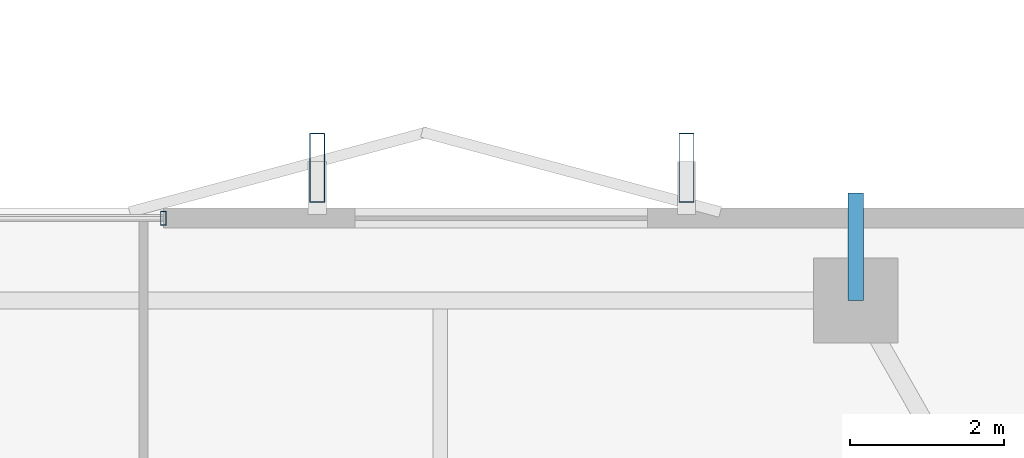
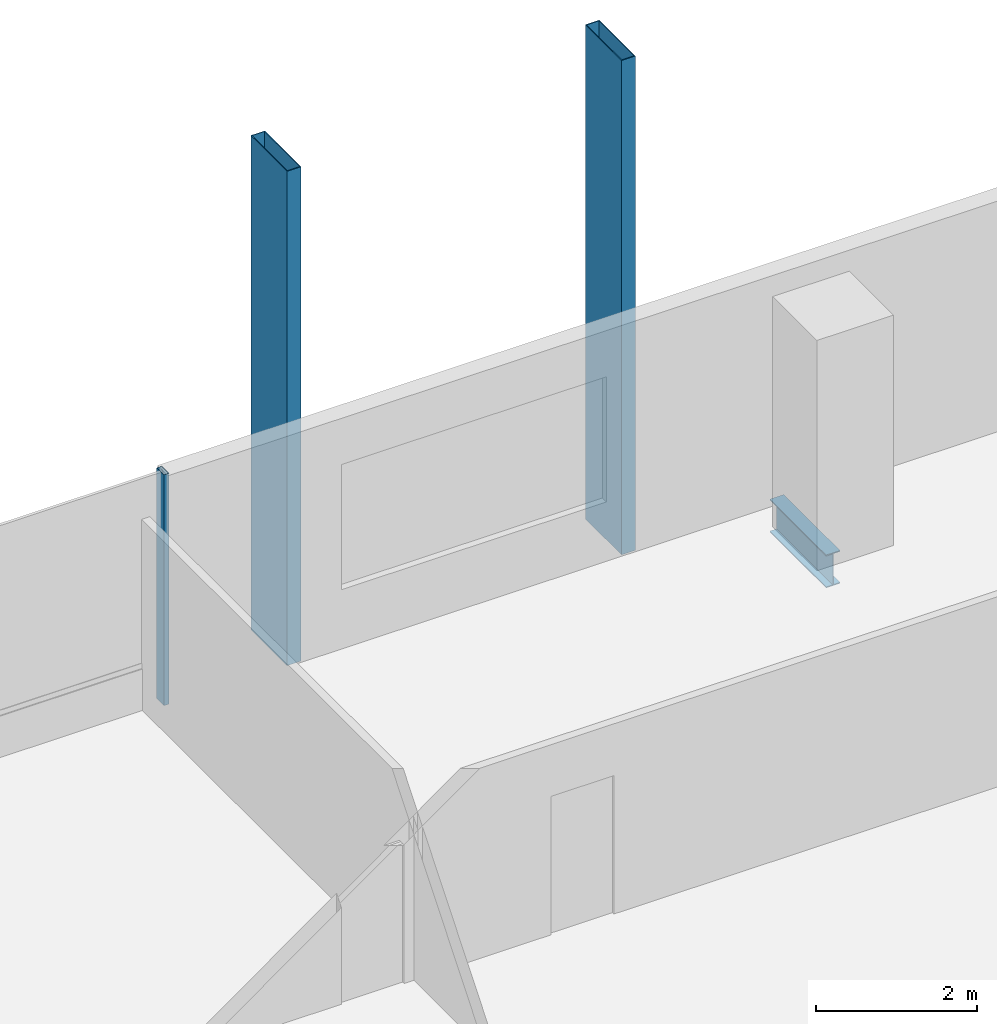
# One storey, part 15 of 24: 3 members, 1 beam, 1 element without a shape of its own.
"""IFC4 building model written with IfcOpenShell, lengths in metres."""

import ifcopenshell
import ifcopenshell.guid

model = None  # the IFC model being written
_history = None  # IfcOwnerHistory: only IFC2X3 demands one
_inside = {}  # id of a spatial element -> (the spatial element, [elements in it])
_under = {}  # id of a project, library or spatial element -> (it, [spatial elements below it])
_declared = {}  # id of a project -> (the project, [libraries it declares])
_typed = {}  # id of a type object -> (the type object, [elements of that type])
_made_of = {}  # id of a material, layer set ... -> (it, [elements and type objects made of it])


def new_model(schema):
    """Start an empty IFC model of exactly this schema.

    Asked for "IFC4X3", IfcOpenShell would pick the latest addendum, in which some entities
    have other attributes; the version numbers below select the first issue.
    IFC2X3 requires an IfcOwnerHistory on every rooted entity: one is made here for all.
    """
    global model, _history
    if schema == "IFC4X3":
        model = ifcopenshell.file(schema_version=(4, 3, 0, 0))
    else:
        model = ifcopenshell.file(schema=schema)
    _inside.clear()
    _under.clear()
    _declared.clear()
    _typed.clear()
    _made_of.clear()
    _history = None
    if model.schema == "IFC2X3":
        org = make("IfcOrganization", Name="unknown")
        user = make(
            "IfcPersonAndOrganization",
            ThePerson=make("IfcPerson", FamilyName="unknown"),
            TheOrganization=org,
        )
        app = make(
            "IfcApplication",
            ApplicationDeveloper=org,
            Version="unknown",
            ApplicationFullName="unknown",
            ApplicationIdentifier="unknown",
        )
        _history = make(
            "IfcOwnerHistory",
            OwningUser=user,
            OwningApplication=app,
            ChangeAction="ADDED",
            CreationDate=0,
        )
    return model


def make(cls, **values):
    """One entity of the class cls with the attributes given. An attribute that is None is left unset."""
    return model.create_entity(
        cls, **{name: value for name, value in values.items() if value is not None}
    )


def rooted(cls, **values):
    """An entity with a GlobalId (a new one), such as an element, a storey or a relation."""
    return make(cls, GlobalId=ifcopenshell.guid.new(), OwnerHistory=_history, **values)


def si_unit(unit_type, name, prefix=None):
    """IfcSIUnit, for example si_unit("LENGTHUNIT", "METRE", prefix="MILLI")."""
    return make("IfcSIUnit", UnitType=unit_type, Prefix=prefix, Name=name)


def assignment(units):
    """IfcUnitAssignment: the units of a project."""
    return None if units is None else make("IfcUnitAssignment", Units=units)


def point(xyz):
    """IfcCartesianPoint."""
    return None if xyz is None else make("IfcCartesianPoint", Coordinates=xyz)


def direction(xyz):
    """IfcDirection."""
    return None if xyz is None else make("IfcDirection", DirectionRatios=xyz)


def frame(location, z_axis=None, x_axis=None):
    """IfcAxis2Placement3D, a coordinate frame: its origin and axes. An axis left out is left unset."""
    return make(
        "IfcAxis2Placement3D",
        Location=point(location),
        Axis=direction(z_axis),
        RefDirection=direction(x_axis),
    )


def frame_2d(location, x_axis=None):
    """IfcAxis2Placement2D, a coordinate frame in the plane: its origin and x axis."""
    return make(
        "IfcAxis2Placement2D", Location=point(location), RefDirection=direction(x_axis)
    )


def origin():
    """The frame at (0, 0, 0) with its axes left unset."""
    return frame((0.0, 0.0, 0.0))


def origin_2d():
    """The frame at (0, 0) in the plane with its x axis left unset."""
    return frame_2d((0.0, 0.0))


def place(relative_to, where):
    """IfcLocalPlacement: puts the frame where relative to a parent placement (None: the world)."""
    return make(
        "IfcLocalPlacement", PlacementRelTo=relative_to, RelativePlacement=where
    )


def context(
    kind, dimensions, precision=None, world=None, true_north=None, identifier=None
):
    """IfcGeometricRepresentationContext, for example the 3D "Model" context."""
    return make(
        "IfcGeometricRepresentationContext",
        ContextIdentifier=identifier,
        ContextType=kind,
        CoordinateSpaceDimension=dimensions,
        Precision=precision,
        WorldCoordinateSystem=world,
        TrueNorth=true_north,
    )


def subcontext(parent, identifier, kind, view, scale=None):
    """IfcGeometricRepresentationSubContext, for example "Body" below "Model"."""
    return make(
        "IfcGeometricRepresentationSubContext",
        ContextIdentifier=identifier,
        ContextType=kind,
        ParentContext=parent,
        TargetScale=scale,
        TargetView=view,
    )


def project(units=None, contexts=None):
    """IfcProject with its units and contexts."""
    return rooted(
        "IfcProject",
        Name="project",
        RepresentationContexts=contexts,
        UnitsInContext=assignment(units),
    )


def spatial(cls, under=None, at=None, **own):
    """A site, building, storey or space (cls), placed at a placement, below another one or the project."""
    s = rooted(cls, ObjectPlacement=at, **own)
    if under is not None:
        _under.setdefault(under.id(), (under, []))[1].append(s)
    return s


def profile(cls, at=None, kind="AREA", **sizes):
    """A parametric profile (cls). Its sizes go by their IFC names, for example OverallWidth=200.0."""
    return make(cls, ProfileType=kind, Position=at, **sizes)


def hollow_rectangle(**sizes):
    """IfcRectangleHollowProfileDef."""
    return profile("IfcRectangleHollowProfileDef", **sizes)


def i_section(**sizes):
    """IfcIShapeProfileDef."""
    return profile("IfcIShapeProfileDef", **sizes)


def extrude(swept, where, along, depth):
    """IfcExtrudedAreaSolid: the profile swept, set in the frame where, extruded along a direction by depth."""
    return make(
        "IfcExtrudedAreaSolid",
        SweptArea=swept,
        Position=where,
        ExtrudedDirection=direction(along),
        Depth=depth,
    )


def shape(context_of_items, identifier, shape_type, items):
    """IfcShapeRepresentation: the items that make up one representation, for example the "Body"."""
    return make(
        "IfcShapeRepresentation",
        ContextOfItems=context_of_items,
        RepresentationIdentifier=identifier,
        RepresentationType=shape_type,
        Items=items,
    )


def material(Name=None, Category=None):
    """IfcMaterial."""
    return make("IfcMaterial", Name=Name, Category=Category)


def layer(
    of_material, thickness, ventilated=None, Name=None, Category=None, Priority=None
):
    """IfcMaterialLayer: one layer of a wall or slab, of a material (None: an air gap)."""
    return make(
        "IfcMaterialLayer",
        Material=of_material,
        LayerThickness=thickness,
        IsVentilated=ventilated,
        Name=Name,
        Category=Category,
        Priority=Priority,
    )


def layer_set(layers, Name=None):
    """IfcMaterialLayerSet."""
    return make("IfcMaterialLayerSet", MaterialLayers=layers, LayerSetName=Name)


def material_profile(
    of_material, cross_section, Name=None, Category=None, Priority=None
):
    """IfcMaterialProfile: a cross section and its material."""
    return make(
        "IfcMaterialProfile",
        Name=Name,
        Material=of_material,
        Profile=cross_section,
        Priority=Priority,
        Category=Category,
    )


def profile_set(profiles, Name=None, composite=None):
    """IfcMaterialProfileSet."""
    return make(
        "IfcMaterialProfileSet",
        Name=Name,
        MaterialProfiles=profiles,
        CompositeProfile=composite,
    )


def made_of(thing, what):
    """Note that an element or type object is made of a material, layer set ...; save() writes the relation."""
    if what is not None:
        _made_of.setdefault(what.id(), (what, []))[1].append(thing)
    return thing


def type_object(cls, material=None, **own):
    """A type object (cls), such as IfcWallType, which elements share."""
    return made_of(rooted(cls, **own), material)


def element(
    cls,
    number,
    at=None,
    inside=None,
    cuts=None,
    type_object=None,
    material=None,
    context=None,
    identifier="Body",
    shape_type=None,
    held_by="IfcProductDefinitionShape",
    body=None,
    shapes=None,
    **own,
):
    """One element of the class cls, such as IfcWall. Its Tag is "e" and its number.

    at: its placement. inside: the storey or other place that contains it. cuts: it is an
    opening in that element (IfcRelVoidsElement). A single representation is given by context,
    identifier, shape_type and body (its items); several are given by shapes. held_by: the class
    of the entity that holds the representations. save() writes the other relations.
    """
    e = rooted(cls, Tag="e%d" % number, ObjectPlacement=at, **own)
    if body is not None:
        shapes = [shape(context, identifier, shape_type, body)]
    if shapes is not None:
        e.Representation = make(held_by, Representations=shapes)
    if inside is not None:
        _inside.setdefault(inside.id(), (inside, []))[1].append(e)
    if cuts is not None:
        rooted(
            "IfcRelVoidsElement", RelatingBuildingElement=cuts, RelatedOpeningElement=e
        )
    if type_object is not None:
        _typed.setdefault(type_object.id(), (type_object, []))[1].append(e)
    return made_of(e, material)


def aggregate(whole, parts):
    """IfcRelAggregates: a whole, such as a stair, and the parts it consists of."""
    return rooted("IfcRelAggregates", RelatingObject=whole, RelatedObjects=parts)


def save(model, path):
    """Write the relations noted so far, then the file.

    IfcRelAggregates (storeys below a building ...), IfcRelContainedInSpatialStructure (elements
    in a storey), IfcRelDefinesByType, IfcRelAssociatesMaterial and IfcRelDeclares: one each for
    every whole, place, type object, material and project.
    """
    for whole, parts in _under.values():
        aggregate(whole, parts)
    for where, things in _inside.values():
        rooted(
            "IfcRelContainedInSpatialStructure",
            RelatedElements=things,
            RelatingStructure=where,
        )
    for kind, things in _typed.values():
        rooted("IfcRelDefinesByType", RelatedObjects=things, RelatingType=kind)
    for what, things in _made_of.values():
        rooted("IfcRelAssociatesMaterial", RelatedObjects=things, RelatingMaterial=what)
    for by, libraries in _declared.values():
        rooted("IfcRelDeclares", RelatingContext=by, RelatedDefinitions=libraries)
    model.write(path)


model = new_model("IFC4")

# Units and contexts
model_context = context("Model", 3, precision=1e-05, world=origin(), true_north=direction((0.0, 1.0)))
body_context = subcontext(model_context, "Body", "Model", "MODEL_VIEW")
ifc_project = project(units=[si_unit("LENGTHUNIT", "METRE"), si_unit("AREAUNIT", "SQUARE_METRE"), si_unit("VOLUMEUNIT", "CUBIC_METRE"), si_unit("PLANEANGLEUNIT", "RADIAN"), si_unit("MASSUNIT", "GRAM", prefix="KILO")], contexts=[model_context])

# Site, building, storey
site_placement = place(None, origin())
site = spatial("IfcSite", under=ifc_project, at=site_placement, CompositionType="ELEMENT")
building_placement = place(site_placement, origin())
building = spatial("IfcBuilding", under=site, at=building_placement, Name="Belovzor Exchange Tower", CompositionType="ELEMENT")
storey_placement = place(building_placement, frame((0.0, 0.0, 203.699951171875)))
storey = spatial("IfcBuildingStorey", under=building, at=storey_placement, Name="L50", CompositionType="ELEMENT", Elevation=203.699951171875)

# Beam
ifc_material_1 = material(Name="Steel S355", Category="steel")
ifc_material_profile_1 = material_profile(ifc_material_1, i_section(OverallWidth=0.199951171875, OverallDepth=0.5, WebThickness=0.01025390625, FlangeThickness=0.01611328125, at=origin_2d()))
ifc_profile_set_1 = profile_set([ifc_material_profile_1], Name="Steel S355")
beam_type = type_object("IfcBeamType", Name="Planted Balcony Cantilever Beam IPE 500", PredefinedType="BEAM", material=ifc_profile_set_1)
beam_placement = place(storey_placement, frame((42.60009765625, 54.60009765625, -0.5), z_axis=(0.0, 1.0, 0.0), x_axis=(-1.0, 0.0, 0.0)))
element("IfcBeam", 1, at=beam_placement, inside=storey, type_object=beam_type, Name="BC-500 Planted Balcony Cantilever Beam IPE 500", PredefinedType="BEAM", context=body_context, shape_type="SweptSolid", body=[
    extrude(i_section(OverallWidth=0.199951171875, OverallDepth=0.5, WebThickness=0.01025390625, FlangeThickness=0.01611328125, at=origin_2d()), origin(), (0.0, 0.0, 1.0), 1.39990234375),
])

# Members
ifc_material_2 = material(Name="Extruded Architectural Terracotta on Steel S355 Carrier", Category="masonry")
ifc_material_profile_2 = material_profile(ifc_material_2, hollow_rectangle(XDim=0.199951171875, YDim=0.89990234375, WallThickness=0.011962890625, at=origin_2d()))
ifc_profile_set_2 = profile_set([ifc_material_profile_2], Name="Extruded Architectural Terracotta on Steel S355 Carrier")
member_type_1 = type_object("IfcMemberType", Name="Sweeping Terracotta Baguette Fin Assembly 950", PredefinedType="USERDEFINED", material=ifc_profile_set_2)
for number, where, z_axis, x_axis, name in (
    (2, (35.60009765625, 56.324951171875, -0.25), (0.0, 0.0, 1.0), (1.0, 0.0, 0.0), "FIN-TC095 Terracotta Facade Fin L50 N3"),
    (3, (40.39990234375, 56.324951171875, -0.25), (0.0, 0.0, 1.0), (1.0, 0.0, 0.0), "FIN-TC095 Terracotta Facade Fin L50 N4"),
):
    element("IfcMember", number, at=place(storey_placement, frame(where, z_axis=z_axis, x_axis=x_axis)), inside=storey, type_object=member_type_1, Name=name, ObjectType="FIN", PredefinedType="USERDEFINED", context=body_context, shape_type="SweptSolid", body=[
        extrude(hollow_rectangle(XDim=0.199951171875, YDim=0.89990234375, WallThickness=0.011962890625, at=origin_2d()), origin(), (0.0, 0.0, 1.0), 7.5),
    ])

# Curtain wall, member
ifc_material_3 = material(Name="Anodised Aluminium Framing", Category="aluminium")
ifc_layer = layer(ifc_material_3, 0.179931640625)
ifc_layer_set = layer_set([ifc_layer], Name="Anodised Aluminium Framing")
curtain_wall_type = type_object("IfcCurtainWallType", Name="Recessed Loggia Low-Iron Triple-Glazed Curtain Wall", PredefinedType="NOTDEFINED", material=ifc_layer_set)
curtain_wall_placement = place(storey_placement, origin())
curtain_wall = element("IfcCurtainWall", 4, at=curtain_wall_placement, inside=storey, type_object=curtain_wall_type, Name="CW3 Recessed Loggia Low-Iron Triple-Glazed Curtain Wall L50", PredefinedType="NOTDEFINED")
ifc_material_4 = material(Name="Steel S355", Category="steel")
ifc_material_profile_3 = material_profile(ifc_material_4, hollow_rectangle(XDim=0.074951171875, YDim=0.179931640625, WallThickness=0.0048828125, at=origin_2d()))
ifc_profile_set_3 = profile_set([ifc_material_profile_3], Name="Steel S355")
member_type_2 = type_object("IfcMemberType", Name="Thermally Broken Curtain Wall Mullion 180x75", PredefinedType="MULLION", material=ifc_profile_set_3)
member_placement = place(storey_placement, frame((33.60009765625, 55.669921875, 0.0), z_axis=(0.0, 0.0, 1.0), x_axis=(1.0, 0.0, 0.0)))
member = element("IfcMember", 5, at=member_placement, type_object=member_type_2, Name="CW-M180 Curtain Wall Mullion 4", PredefinedType="MULLION", context=body_context, shape_type="SweptSolid", body=[
    extrude(hollow_rectangle(XDim=0.074951171875, YDim=0.179931640625, WallThickness=0.0048828125, at=origin_2d()), origin(), (0.0, 0.0, 1.0), 3.5),
])
aggregate(curtain_wall, [member])

save(model, "model.ifc")
